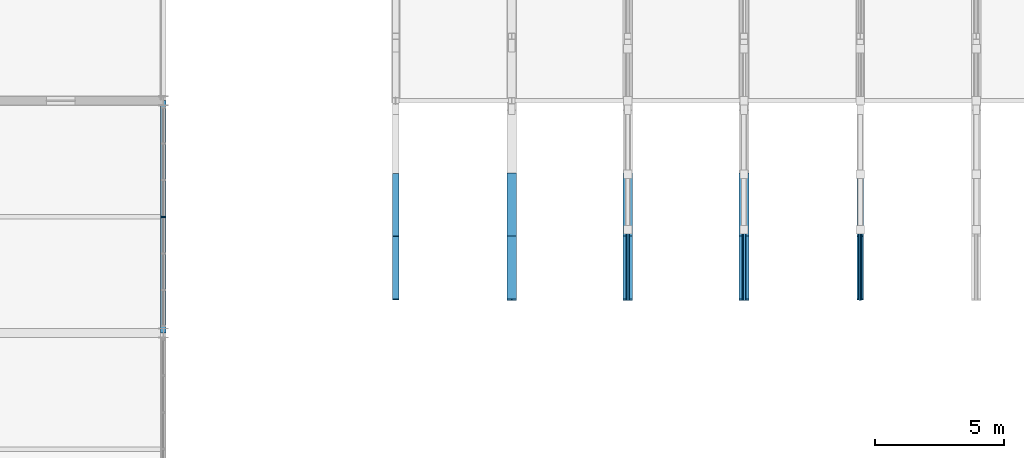
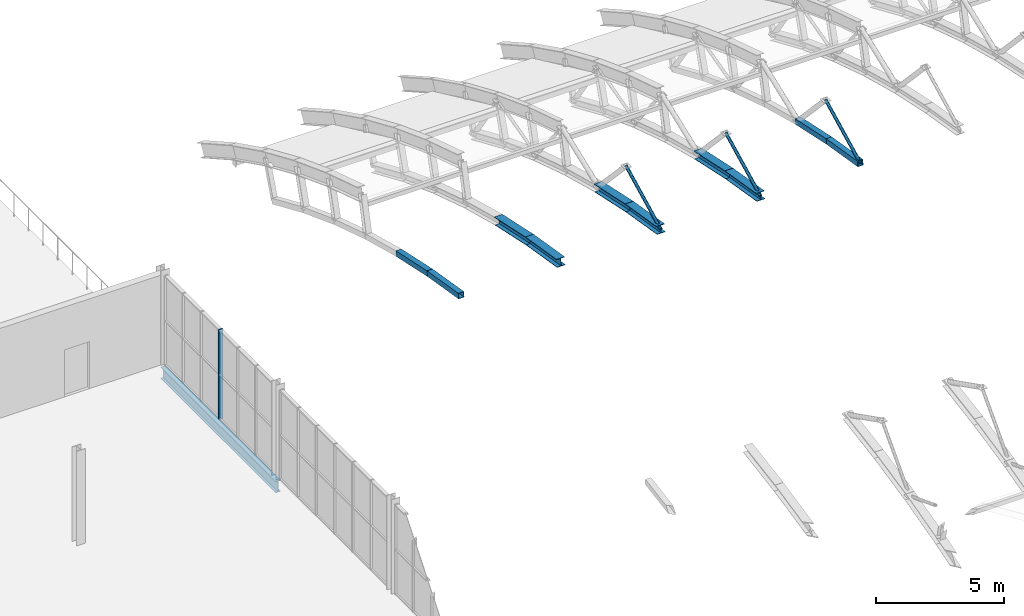
# One storey, part 34 of 103: 14 members, 1 beam, 1 element without a shape of its own.
"""IFC4 building model written with IfcOpenShell, lengths in metres."""

from ifc_helpers import new_model, si_unit, direction, frame, origin, origin_2d, place, context, subcontext, project, spatial, rectangle, hollow_rectangle, hollow_circle, i_section, extrude, material, layer, layer_set, material_profile, profile_set, type_object, element, aggregate, save


model = new_model("IFC4")

# Units and contexts
model_context = context("Model", 3, precision=1e-05, world=origin(), true_north=direction((0.0, 1.0)))
body_context = subcontext(model_context, "Body", "Model", "MODEL_VIEW")
ifc_project = project(units=[si_unit("LENGTHUNIT", "METRE"), si_unit("AREAUNIT", "SQUARE_METRE"), si_unit("VOLUMEUNIT", "CUBIC_METRE"), si_unit("PLANEANGLEUNIT", "RADIAN"), si_unit("MASSUNIT", "GRAM", prefix="KILO")], contexts=[model_context])

# Site, building, storey
site_placement = place(None, origin())
site = spatial("IfcSite", under=ifc_project, at=site_placement, CompositionType="ELEMENT")
building_placement = place(site_placement, origin())
building = spatial("IfcBuilding", under=site, at=building_placement, Name="Cazmaro Siding Exhibition Halls", CompositionType="ELEMENT")
storey_placement = place(building_placement, frame((0.0, 0.0, 16.5)))
storey = spatial("IfcBuildingStorey", under=building, at=storey_placement, Name="L03", CompositionType="ELEMENT", Elevation=16.5)

# Beam
ifc_material_1 = material(Name="Steel ASTM A992 Grade 50", Category="steel")
ifc_material_profile_1 = material_profile(ifc_material_1, i_section(OverallWidth=0.214111328125, OverallDepth=0.549072265625, WebThickness=0.014892578125, FlangeThickness=0.02392578125, at=origin_2d()), Name="W21X93")
ifc_profile_set_1 = profile_set([ifc_material_profile_1], Name="Steel ASTM A992 Grade 50")
beam_type = type_object("IfcBeamType", Name="B-01", PredefinedType="BEAM", material=ifc_profile_set_1)
beam_placement = place(storey_placement, frame((36.0, 100.0, -0.493896484375), z_axis=(0.0, 1.0, 0.0), x_axis=(-1.0, 0.0, 0.0)))
element("IfcBeam", 1, at=beam_placement, inside=storey, type_object=beam_type, Name="Beam B-01 BM-2275", PredefinedType="BEAM", context=body_context, shape_type="SweptSolid", body=[
    extrude(i_section(OverallWidth=0.214111328125, OverallDepth=0.549072265625, WebThickness=0.014892578125, FlangeThickness=0.02392578125, at=origin_2d()), origin(), (0.0, 0.0, 1.0), 9.0),
])

# Curtain wall, member
ifc_material_2 = material(Name="Anodized Bronze Aluminum and Solar-Control Low-E Glazing", Category="aluminium")
ifc_layer = layer(ifc_material_2, 0.179931640625)
ifc_layer_set = layer_set([ifc_layer], Name="Anodized Bronze Aluminum and Solar-Control Low-E Glazing")
curtain_wall_type = type_object("IfcCurtainWallType", Name="CWS-01", PredefinedType="USERDEFINED", material=ifc_layer_set)
curtain_wall_placement = place(storey_placement, origin())
curtain_wall = element("IfcCurtainWall", 2, at=curtain_wall_placement, inside=storey, type_object=curtain_wall_type, Name="Glazed Curtain Wall CWS-01 CW-255", ObjectType="GLAZED CURTAIN WALL", PredefinedType="USERDEFINED")
ifc_material_3 = material(Name="Anodized Bronze Extruded Aluminum", Category="aluminium")
ifc_material_profile_2 = material_profile(ifc_material_3, rectangle(XDim=0.179931640625, YDim=0.06005859375, at=origin_2d()), Name="CWM-01")
ifc_profile_set_2 = profile_set([ifc_material_profile_2], Name="Anodized Bronze Extruded Aluminum")
member_type_1 = type_object("IfcMemberType", Name="CWM-01", PredefinedType="MULLION", material=ifc_profile_set_2)
member_1_placement = place(storey_placement, frame((36.0, 104.5, 0.0), z_axis=(0.0, 0.0, 1.0), x_axis=(-1.0, 0.0, 0.0)))
member_1 = element("IfcMember", 3, at=member_1_placement, type_object=member_type_1, Name="CWS-01 mullion 4", PredefinedType="MULLION", context=body_context, shape_type="SweptSolid", body=[
    extrude(rectangle(XDim=0.179931640625, YDim=0.06005859375, at=origin_2d()), origin(), (0.0, 0.0, 1.0), 4.280029296875),
])
aggregate(curtain_wall, [member_1])

# Members
ifc_material_4 = material(Name="Steel ASTM A500 Grade C", Category="steel")
ifc_material_profile_3 = material_profile(ifc_material_4, hollow_rectangle(XDim=0.25390625, YDim=0.25390625, WallThickness=0.014892578125, at=origin_2d()), Name="HSS10X10X5/8")
ifc_profile_set_3 = profile_set([ifc_material_profile_3], Name="Steel ASTM A500 Grade C")
member_type_2 = type_object("IfcMemberType", Name="TC-01", PredefinedType="CHORD", material=ifc_profile_set_3)
member_2_placement = place(storey_placement, frame((45.0, 101.2900390625, 4.68701171875), z_axis=(0.0, 0.986455464336, -0.164029317138), x_axis=(-1.0, 0.0, 0.0)))
element("IfcMember", 4, at=member_2_placement, inside=storey, type_object=member_type_2, Name="Space frame barrel vault bottom chord TC-01 MEM-0016", PredefinedType="CHORD", context=body_context, shape_type="SweptSolid", body=[
    extrude(hollow_rectangle(XDim=0.25390625, YDim=0.25390625, WallThickness=0.014892578125, at=origin_2d()), origin(), (0.0, 0.0, 1.0), 2.46337890625),
])
member_3_placement = place(storey_placement, frame((45.0, 103.719970703125, 4.282958984375), z_axis=(0.0, 0.977697351532, -0.210018782033), x_axis=(-1.0, 0.0, 0.0)))
element("IfcMember", 5, at=member_3_placement, inside=storey, type_object=member_type_2, Name="Space frame barrel vault bottom chord TC-01 MEM-0017", PredefinedType="CHORD", context=body_context, shape_type="SweptSolid", body=[
    extrude(hollow_rectangle(XDim=0.25390625, YDim=0.25390625, WallThickness=0.014892578125, at=origin_2d()), origin(), (0.0, 0.0, 1.0), 2.4853515625),
])
member_4_placement = place(storey_placement, frame((63.0, 101.2900390625, 4.68701171875), z_axis=(0.0, 0.986455464336, -0.164029317138), x_axis=(-1.0, 0.0, 0.0)))
element("IfcMember", 6, at=member_4_placement, inside=storey, type_object=member_type_2, Name="Space frame barrel vault bottom chord TC-01 MEM-0267", PredefinedType="CHORD", context=body_context, shape_type="SweptSolid", body=[
    extrude(hollow_rectangle(XDim=0.25390625, YDim=0.25390625, WallThickness=0.014892578125, at=origin_2d()), origin(), (0.0, 0.0, 1.0), 2.46337890625),
])
member_5_placement = place(storey_placement, frame((63.0, 103.719970703125, 4.282958984375), z_axis=(0.0, 0.977697351532, -0.210018782033), x_axis=(-1.0, 0.0, 0.0)))
element("IfcMember", 7, at=member_5_placement, inside=storey, type_object=member_type_2, Name="Space frame barrel vault bottom chord TC-01 MEM-0269", PredefinedType="CHORD", context=body_context, shape_type="SweptSolid", body=[
    extrude(hollow_rectangle(XDim=0.25390625, YDim=0.25390625, WallThickness=0.014892578125, at=origin_2d()), origin(), (0.0, 0.0, 1.0), 2.4853515625),
])
ifc_material_5 = material(Name="Steel ASTM A992 Grade 50", Category="steel")
ifc_material_profile_4 = material_profile(ifc_material_5, i_section(OverallWidth=0.37109375, OverallDepth=0.364013671875, WebThickness=0.012939453125, FlangeThickness=0.02197265625, at=origin_2d()), Name="W14X109")
ifc_profile_set_4 = profile_set([ifc_material_profile_4], Name="Steel ASTM A992 Grade 50")
member_type_3 = type_object("IfcMemberType", Name="TC-06", PredefinedType="CHORD", material=ifc_profile_set_4)
member_6_placement = place(storey_placement, frame((49.5, 101.2900390625, 4.68701171875), z_axis=(0.0, 0.986455464336, -0.164029317138), x_axis=(-1.0, 0.0, 0.0)))
element("IfcMember", 8, at=member_6_placement, inside=storey, type_object=member_type_3, Name="Space frame barrel vault bottom chord TC-06 MEM-0063", PredefinedType="CHORD", context=body_context, shape_type="SweptSolid", body=[
    extrude(i_section(OverallWidth=0.37109375, OverallDepth=0.364013671875, WebThickness=0.012939453125, FlangeThickness=0.02197265625, at=origin_2d()), origin(), (0.0, 0.0, 1.0), 2.46337890625),
])
member_7_placement = place(storey_placement, frame((49.5, 103.719970703125, 4.282958984375), z_axis=(0.0, 0.977697351532, -0.210018782033), x_axis=(-1.0, 0.0, 0.0)))
element("IfcMember", 9, at=member_7_placement, inside=storey, type_object=member_type_3, Name="Space frame barrel vault bottom chord TC-06 MEM-0064", PredefinedType="CHORD", context=body_context, shape_type="SweptSolid", body=[
    extrude(i_section(OverallWidth=0.37109375, OverallDepth=0.364013671875, WebThickness=0.012939453125, FlangeThickness=0.02197265625, at=origin_2d()), origin(), (0.0, 0.0, 1.0), 2.4853515625),
])
member_8_placement = place(storey_placement, frame((54.0, 101.2900390625, 4.68701171875), z_axis=(0.0, 0.986455464336, -0.164029317138), x_axis=(-1.0, 0.0, 0.0)))
element("IfcMember", 10, at=member_8_placement, inside=storey, type_object=member_type_3, Name="Space frame barrel vault bottom chord TC-06 MEM-0125", PredefinedType="CHORD", context=body_context, shape_type="SweptSolid", body=[
    extrude(i_section(OverallWidth=0.37109375, OverallDepth=0.364013671875, WebThickness=0.012939453125, FlangeThickness=0.02197265625, at=origin_2d()), origin(), (0.0, 0.0, 1.0), 2.46337890625),
])
member_9_placement = place(storey_placement, frame((54.0, 103.719970703125, 4.282958984375), z_axis=(0.0, 0.977697351532, -0.210018782033), x_axis=(-1.0, 0.0, 0.0)))
element("IfcMember", 11, at=member_9_placement, inside=storey, type_object=member_type_3, Name="Space frame barrel vault bottom chord TC-06 MEM-0127", PredefinedType="CHORD", context=body_context, shape_type="SweptSolid", body=[
    extrude(i_section(OverallWidth=0.37109375, OverallDepth=0.364013671875, WebThickness=0.012939453125, FlangeThickness=0.02197265625, at=origin_2d()), origin(), (0.0, 0.0, 1.0), 2.4853515625),
])
member_10_placement = place(storey_placement, frame((58.5, 101.2900390625, 4.68701171875), z_axis=(0.0, 0.986455464336, -0.164029317138), x_axis=(-1.0, 0.0, 0.0)))
element("IfcMember", 12, at=member_10_placement, inside=storey, type_object=member_type_3, Name="Space frame barrel vault bottom chord TC-06 MEM-0196", PredefinedType="CHORD", context=body_context, shape_type="SweptSolid", body=[
    extrude(i_section(OverallWidth=0.37109375, OverallDepth=0.364013671875, WebThickness=0.012939453125, FlangeThickness=0.02197265625, at=origin_2d()), origin(), (0.0, 0.0, 1.0), 2.46337890625),
])
member_11_placement = place(storey_placement, frame((58.5, 103.719970703125, 4.282958984375), z_axis=(0.0, 0.977697351532, -0.210018782033), x_axis=(-1.0, 0.0, 0.0)))
element("IfcMember", 13, at=member_11_placement, inside=storey, type_object=member_type_3, Name="Space frame barrel vault bottom chord TC-06 MEM-0198", PredefinedType="CHORD", context=body_context, shape_type="SweptSolid", body=[
    extrude(i_section(OverallWidth=0.37109375, OverallDepth=0.364013671875, WebThickness=0.012939453125, FlangeThickness=0.02197265625, at=origin_2d()), origin(), (0.0, 0.0, 1.0), 2.4853515625),
])
ifc_material_6 = material(Name="Steel ASTM A500 Grade C", Category="steel")
ifc_material_profile_5 = material_profile(ifc_material_6, hollow_circle(Radius=0.070556640625, WallThickness=0.01904296875, at=origin_2d()), Name="PIPE5XXS")
ifc_profile_set_5 = profile_set([ifc_material_profile_5], Name="Steel ASTM A500 Grade C")
member_type_4 = type_object("IfcMemberType", Name="WB-07", PredefinedType="BRACE", material=ifc_profile_set_5)
for number, where, z_axis, x_axis, name in (
    (14, (54.0, 101.2900390625, 4.68701171875), (0.0, 0.892456788218, 0.451132886369), (-1.0, 0.0, 0.0), "Space frame barrel vault diagonal WB-07 MEM-0126"),
    (15, (58.5, 101.2900390625, 4.68701171875), (0.0, 0.892456788218, 0.451132886369), (-1.0, 0.0, 0.0), "Space frame barrel vault diagonal WB-07 MEM-0197"),
    (16, (63.0, 101.2900390625, 4.68701171875), (0.0, 0.892456788218, 0.451132886369), (-1.0, 0.0, 0.0), "Space frame barrel vault diagonal WB-07 MEM-0268"),
):
    element("IfcMember", number, at=place(storey_placement, frame(where, z_axis=z_axis, x_axis=x_axis)), inside=storey, type_object=member_type_4, Name=name, PredefinedType="BRACE", context=body_context, shape_type="SweptSolid", body=[
        extrude(hollow_circle(Radius=0.070556640625, WallThickness=0.01904296875, at=origin_2d()), origin(), (0.0, 0.0, 1.0), 3.03662109375),
    ])

save(model, "model.ifc")
